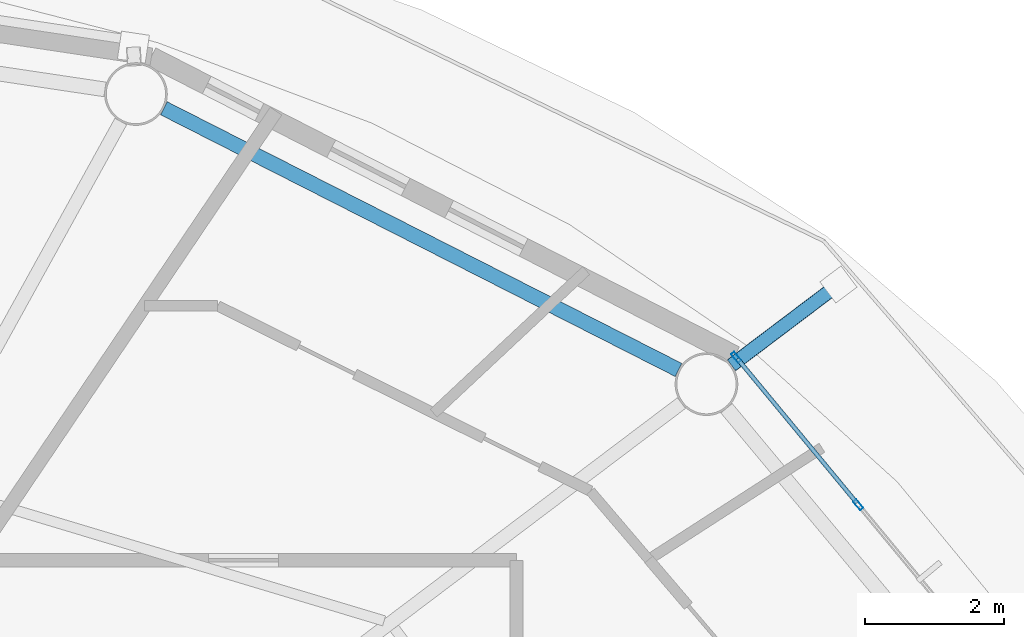
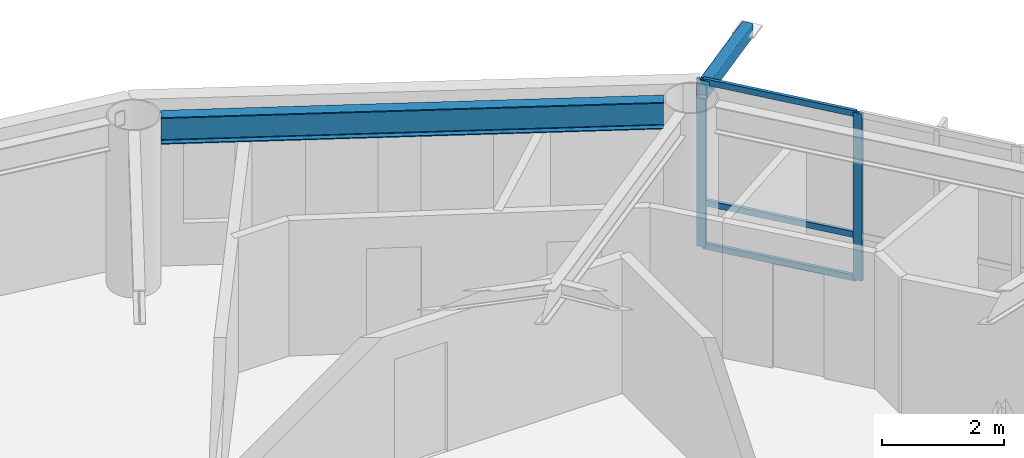
# One storey, part 11 of 23: 6 members, 1 beam, 1 element without a shape of its own.
"""IFC4 building model written with IfcOpenShell, lengths in metres."""

import ifcopenshell
import ifcopenshell.guid

model = None  # the IFC model being written
_history = None  # IfcOwnerHistory: only IFC2X3 demands one
_inside = {}  # id of a spatial element -> (the spatial element, [elements in it])
_under = {}  # id of a project, library or spatial element -> (it, [spatial elements below it])
_declared = {}  # id of a project -> (the project, [libraries it declares])
_typed = {}  # id of a type object -> (the type object, [elements of that type])
_made_of = {}  # id of a material, layer set ... -> (it, [elements and type objects made of it])


def new_model(schema):
    """Start an empty IFC model of exactly this schema.

    Asked for "IFC4X3", IfcOpenShell would pick the latest addendum, in which some entities
    have other attributes; the version numbers below select the first issue.
    IFC2X3 requires an IfcOwnerHistory on every rooted entity: one is made here for all.
    """
    global model, _history
    if schema == "IFC4X3":
        model = ifcopenshell.file(schema_version=(4, 3, 0, 0))
    else:
        model = ifcopenshell.file(schema=schema)
    _inside.clear()
    _under.clear()
    _declared.clear()
    _typed.clear()
    _made_of.clear()
    _history = None
    if model.schema == "IFC2X3":
        org = make("IfcOrganization", Name="unknown")
        user = make(
            "IfcPersonAndOrganization",
            ThePerson=make("IfcPerson", FamilyName="unknown"),
            TheOrganization=org,
        )
        app = make(
            "IfcApplication",
            ApplicationDeveloper=org,
            Version="unknown",
            ApplicationFullName="unknown",
            ApplicationIdentifier="unknown",
        )
        _history = make(
            "IfcOwnerHistory",
            OwningUser=user,
            OwningApplication=app,
            ChangeAction="ADDED",
            CreationDate=0,
        )
    return model


def make(cls, **values):
    """One entity of the class cls with the attributes given. An attribute that is None is left unset."""
    return model.create_entity(
        cls, **{name: value for name, value in values.items() if value is not None}
    )


def rooted(cls, **values):
    """An entity with a GlobalId (a new one), such as an element, a storey or a relation."""
    return make(cls, GlobalId=ifcopenshell.guid.new(), OwnerHistory=_history, **values)


def si_unit(unit_type, name, prefix=None):
    """IfcSIUnit, for example si_unit("LENGTHUNIT", "METRE", prefix="MILLI")."""
    return make("IfcSIUnit", UnitType=unit_type, Prefix=prefix, Name=name)


def assignment(units):
    """IfcUnitAssignment: the units of a project."""
    return None if units is None else make("IfcUnitAssignment", Units=units)


def point(xyz):
    """IfcCartesianPoint."""
    return None if xyz is None else make("IfcCartesianPoint", Coordinates=xyz)


def direction(xyz):
    """IfcDirection."""
    return None if xyz is None else make("IfcDirection", DirectionRatios=xyz)


def frame(location, z_axis=None, x_axis=None):
    """IfcAxis2Placement3D, a coordinate frame: its origin and axes. An axis left out is left unset."""
    return make(
        "IfcAxis2Placement3D",
        Location=point(location),
        Axis=direction(z_axis),
        RefDirection=direction(x_axis),
    )


def frame_2d(location, x_axis=None):
    """IfcAxis2Placement2D, a coordinate frame in the plane: its origin and x axis."""
    return make(
        "IfcAxis2Placement2D", Location=point(location), RefDirection=direction(x_axis)
    )


def origin():
    """The frame at (0, 0, 0) with its axes left unset."""
    return frame((0.0, 0.0, 0.0))


def origin_2d():
    """The frame at (0, 0) in the plane with its x axis left unset."""
    return frame_2d((0.0, 0.0))


def place(relative_to, where):
    """IfcLocalPlacement: puts the frame where relative to a parent placement (None: the world)."""
    return make(
        "IfcLocalPlacement", PlacementRelTo=relative_to, RelativePlacement=where
    )


def context(
    kind, dimensions, precision=None, world=None, true_north=None, identifier=None
):
    """IfcGeometricRepresentationContext, for example the 3D "Model" context."""
    return make(
        "IfcGeometricRepresentationContext",
        ContextIdentifier=identifier,
        ContextType=kind,
        CoordinateSpaceDimension=dimensions,
        Precision=precision,
        WorldCoordinateSystem=world,
        TrueNorth=true_north,
    )


def subcontext(parent, identifier, kind, view, scale=None):
    """IfcGeometricRepresentationSubContext, for example "Body" below "Model"."""
    return make(
        "IfcGeometricRepresentationSubContext",
        ContextIdentifier=identifier,
        ContextType=kind,
        ParentContext=parent,
        TargetScale=scale,
        TargetView=view,
    )


def project(units=None, contexts=None):
    """IfcProject with its units and contexts."""
    return rooted(
        "IfcProject",
        Name="project",
        RepresentationContexts=contexts,
        UnitsInContext=assignment(units),
    )


def spatial(cls, under=None, at=None, **own):
    """A site, building, storey or space (cls), placed at a placement, below another one or the project."""
    s = rooted(cls, ObjectPlacement=at, **own)
    if under is not None:
        _under.setdefault(under.id(), (under, []))[1].append(s)
    return s


def profile(cls, at=None, kind="AREA", **sizes):
    """A parametric profile (cls). Its sizes go by their IFC names, for example OverallWidth=200.0."""
    return make(cls, ProfileType=kind, Position=at, **sizes)


def hollow_rectangle(**sizes):
    """IfcRectangleHollowProfileDef."""
    return profile("IfcRectangleHollowProfileDef", **sizes)


def i_section(**sizes):
    """IfcIShapeProfileDef."""
    return profile("IfcIShapeProfileDef", **sizes)


def extrude(swept, where, along, depth):
    """IfcExtrudedAreaSolid: the profile swept, set in the frame where, extruded along a direction by depth."""
    return make(
        "IfcExtrudedAreaSolid",
        SweptArea=swept,
        Position=where,
        ExtrudedDirection=direction(along),
        Depth=depth,
    )


def shape(context_of_items, identifier, shape_type, items):
    """IfcShapeRepresentation: the items that make up one representation, for example the "Body"."""
    return make(
        "IfcShapeRepresentation",
        ContextOfItems=context_of_items,
        RepresentationIdentifier=identifier,
        RepresentationType=shape_type,
        Items=items,
    )


def material(Name=None, Category=None):
    """IfcMaterial."""
    return make("IfcMaterial", Name=Name, Category=Category)


def layer(
    of_material, thickness, ventilated=None, Name=None, Category=None, Priority=None
):
    """IfcMaterialLayer: one layer of a wall or slab, of a material (None: an air gap)."""
    return make(
        "IfcMaterialLayer",
        Material=of_material,
        LayerThickness=thickness,
        IsVentilated=ventilated,
        Name=Name,
        Category=Category,
        Priority=Priority,
    )


def layer_set(layers, Name=None):
    """IfcMaterialLayerSet."""
    return make("IfcMaterialLayerSet", MaterialLayers=layers, LayerSetName=Name)


def material_profile(
    of_material, cross_section, Name=None, Category=None, Priority=None
):
    """IfcMaterialProfile: a cross section and its material."""
    return make(
        "IfcMaterialProfile",
        Name=Name,
        Material=of_material,
        Profile=cross_section,
        Priority=Priority,
        Category=Category,
    )


def profile_set(profiles, Name=None, composite=None):
    """IfcMaterialProfileSet."""
    return make(
        "IfcMaterialProfileSet",
        Name=Name,
        MaterialProfiles=profiles,
        CompositeProfile=composite,
    )


def made_of(thing, what):
    """Note that an element or type object is made of a material, layer set ...; save() writes the relation."""
    if what is not None:
        _made_of.setdefault(what.id(), (what, []))[1].append(thing)
    return thing


def type_object(cls, material=None, **own):
    """A type object (cls), such as IfcWallType, which elements share."""
    return made_of(rooted(cls, **own), material)


def element(
    cls,
    number,
    at=None,
    inside=None,
    cuts=None,
    type_object=None,
    material=None,
    context=None,
    identifier="Body",
    shape_type=None,
    held_by="IfcProductDefinitionShape",
    body=None,
    shapes=None,
    **own,
):
    """One element of the class cls, such as IfcWall. Its Tag is "e" and its number.

    at: its placement. inside: the storey or other place that contains it. cuts: it is an
    opening in that element (IfcRelVoidsElement). A single representation is given by context,
    identifier, shape_type and body (its items); several are given by shapes. held_by: the class
    of the entity that holds the representations. save() writes the other relations.
    """
    e = rooted(cls, Tag="e%d" % number, ObjectPlacement=at, **own)
    if body is not None:
        shapes = [shape(context, identifier, shape_type, body)]
    if shapes is not None:
        e.Representation = make(held_by, Representations=shapes)
    if inside is not None:
        _inside.setdefault(inside.id(), (inside, []))[1].append(e)
    if cuts is not None:
        rooted(
            "IfcRelVoidsElement", RelatingBuildingElement=cuts, RelatedOpeningElement=e
        )
    if type_object is not None:
        _typed.setdefault(type_object.id(), (type_object, []))[1].append(e)
    return made_of(e, material)


def aggregate(whole, parts):
    """IfcRelAggregates: a whole, such as a stair, and the parts it consists of."""
    return rooted("IfcRelAggregates", RelatingObject=whole, RelatedObjects=parts)


def save(model, path):
    """Write the relations noted so far, then the file.

    IfcRelAggregates (storeys below a building ...), IfcRelContainedInSpatialStructure (elements
    in a storey), IfcRelDefinesByType, IfcRelAssociatesMaterial and IfcRelDeclares: one each for
    every whole, place, type object, material and project.
    """
    for whole, parts in _under.values():
        aggregate(whole, parts)
    for where, things in _inside.values():
        rooted(
            "IfcRelContainedInSpatialStructure",
            RelatedElements=things,
            RelatingStructure=where,
        )
    for kind, things in _typed.values():
        rooted("IfcRelDefinesByType", RelatedObjects=things, RelatingType=kind)
    for what, things in _made_of.values():
        rooted("IfcRelAssociatesMaterial", RelatedObjects=things, RelatingMaterial=what)
    for by, libraries in _declared.values():
        rooted("IfcRelDeclares", RelatingContext=by, RelatedDefinitions=libraries)
    model.write(path)


model = new_model("IFC4")

# Units and contexts
model_context = context("Model", 3, precision=1e-05, world=origin(), true_north=direction((0.0, 1.0)))
body_context = subcontext(model_context, "Body", "Model", "MODEL_VIEW")
ifc_project = project(units=[si_unit("LENGTHUNIT", "METRE"), si_unit("AREAUNIT", "SQUARE_METRE"), si_unit("VOLUMEUNIT", "CUBIC_METRE"), si_unit("PLANEANGLEUNIT", "RADIAN"), si_unit("MASSUNIT", "GRAM", prefix="KILO")], contexts=[model_context])

# Site, building, storey
site_placement = place(None, origin())
site = spatial("IfcSite", under=ifc_project, at=site_placement, CompositionType="ELEMENT")
building_placement = place(site_placement, origin())
building = spatial("IfcBuilding", under=site, at=building_placement, Name="Sarneth Arch Tower", CompositionType="ELEMENT")
storey_placement = place(building_placement, frame((0.0, 0.0, 231.60009765625)))
storey = spatial("IfcBuildingStorey", under=building, at=storey_placement, Name="L59", CompositionType="ELEMENT", Elevation=231.60009765625)

# Beam
ifc_material_1 = material(Name="Steel S355", Category="steel")
ifc_material_profile_1 = material_profile(ifc_material_1, i_section(OverallWidth=0.2109375, OverallDepth=0.5390625, WebThickness=0.01171875, FlangeThickness=0.018798828125, FilletRadius=0.01806640625, at=origin_2d()), Name="W530x109")
ifc_profile_set_1 = profile_set([ifc_material_profile_1], Name="Steel S355")
beam_type = type_object("IfcBeamType", Name="BM-RAD-530B", PredefinedType="BEAM", material=ifc_profile_set_1)
beam_placement = place(storey_placement, frame((65.57421875, 55.780517578125, 3.09033203125), z_axis=(-0.891376248079, 0.453264144138, 0.0), x_axis=(-0.453264144138, -0.891376248079, 0.0)))
element("IfcBeam", 1, at=beam_placement, inside=storey, type_object=beam_type, Name="L59 Perimeter spandrel beam 03", PredefinedType="BEAM", context=body_context, shape_type="SweptSolid", body=[
    extrude(i_section(OverallWidth=0.2109375, OverallDepth=0.5390625, WebThickness=0.01171875, FlangeThickness=0.018798828125, FilletRadius=0.01806640625, at=origin_2d()), origin(), (0.0, 0.0, 1.0), 8.281982421875),
])

# Curtain wall, members
ifc_material_2 = material(Name="Anodised aluminium Type AA25 and solar-control low-e laminated IGU", Category="aluminium")
ifc_layer = layer(ifc_material_2, 0.179931640625)
ifc_layer_set = layer_set([ifc_layer], Name="Anodised aluminium Type AA25 and solar-control low-e laminated IGU")
curtain_wall_type = type_object("IfcCurtainWallType", Name="CW-RES-HIGH", PredefinedType="NOTDEFINED", material=ifc_layer_set)
curtain_wall_placement = place(storey_placement, origin())
curtain_wall = element("IfcCurtainWall", 2, at=curtain_wall_placement, inside=storey, type_object=curtain_wall_type, Name="L59 Unitised curtain wall facet 02", PredefinedType="NOTDEFINED")
ifc_material_3 = material(Name="Anodised Aluminium 6063-T6", Category="aluminium")
ifc_material_profile_2 = material_profile(ifc_material_3, hollow_rectangle(XDim=0.06005859375, YDim=0.159912109375, WallThickness=0.00390625, at=origin_2d()), Name="AL-MULL-160x60x4")
ifc_profile_set_2 = profile_set([ifc_material_profile_2], Name="Anodised Aluminium 6063-T6")
member_type_1 = type_object("IfcMemberType", Name="CW-MULLION", PredefinedType="MULLION", material=ifc_profile_set_2)
member_1_placement = place(storey_placement, frame((68.15283203125, 53.84765625, 0.0), z_axis=(0.0, 0.0, 1.0), x_axis=(-0.770359245933, -0.637610094184, 0.0)))
member_1 = element("IfcMember", 3, at=member_1_placement, type_object=member_type_1, Name="CW-SYS-6 mullion 3", PredefinedType="MULLION", context=body_context, shape_type="SweptSolid", body=[
    extrude(hollow_rectangle(XDim=0.06005859375, YDim=0.159912109375, WallThickness=0.00390625, at=origin_2d()), origin(), (0.0, 0.0, 1.0), 3.35986328125),
])
member_2_placement = place(storey_placement, frame((66.401611328125, 55.96337890625, 0.0), z_axis=(0.0, 0.0, 1.0), x_axis=(-0.770359245933, -0.637610094184, 0.0)))
member_2 = element("IfcMember", 4, at=member_2_placement, type_object=member_type_1, Name="CW-SYS-6 mullion 4", PredefinedType="MULLION", context=body_context, shape_type="SweptSolid", body=[
    extrude(hollow_rectangle(XDim=0.06005859375, YDim=0.159912109375, WallThickness=0.00390625, at=origin_2d()), origin(), (0.0, 0.0, 1.0), 3.35986328125),
])
ifc_material_4 = material(Name="Anodised Aluminium 6063-T6", Category="aluminium")
ifc_material_profile_3 = material_profile(ifc_material_4, hollow_rectangle(XDim=0.06005859375, YDim=0.1201171875, WallThickness=0.00390625, at=origin_2d()), Name="AL-TRAN-120x60x4")
ifc_profile_set_3 = profile_set([ifc_material_profile_3], Name="Anodised Aluminium 6063-T6")
member_type_2 = type_object("IfcMemberType", Name="CW-TRANSOM", PredefinedType="USERDEFINED", material=ifc_profile_set_3)
member_3_placement = place(storey_placement, frame((68.1337890625, 53.87060546875, 0.02978515625), z_axis=(-0.637606765719, 0.770362000821, 0.0), x_axis=(-0.770362000821, -0.637606765719, 0.0)))
member_3 = element("IfcMember", 5, at=member_3_placement, type_object=member_type_2, Name="CW-SYS-6 transom 3.1", ObjectType="TRANSOM", PredefinedType="USERDEFINED", context=body_context, shape_type="SweptSolid", body=[
    extrude(hollow_rectangle(XDim=0.06005859375, YDim=0.1201171875, WallThickness=0.00390625, at=origin_2d()), origin(), (0.0, 0.0, 1.0), 2.686767578125),
])
member_4_placement = place(storey_placement, frame((68.1337890625, 53.87060546875, 0.89990234375), z_axis=(-0.637606765719, 0.770362000821, 0.0), x_axis=(-0.770362000821, -0.637606765719, 0.0)))
member_4 = element("IfcMember", 6, at=member_4_placement, type_object=member_type_2, Name="CW-SYS-6 transom 3.2", ObjectType="TRANSOM", PredefinedType="USERDEFINED", context=body_context, shape_type="SweptSolid", body=[
    extrude(hollow_rectangle(XDim=0.06005859375, YDim=0.1201171875, WallThickness=0.00390625, at=origin_2d()), origin(), (0.0, 0.0, 1.0), 2.686767578125),
])
member_5_placement = place(storey_placement, frame((68.1337890625, 53.87060546875, 3.329833984375), z_axis=(-0.637606765719, 0.770362000821, 0.0), x_axis=(-0.770362000821, -0.637606765719, 0.0)))
member_5 = element("IfcMember", 7, at=member_5_placement, type_object=member_type_2, Name="CW-SYS-6 transom 3.3", ObjectType="TRANSOM", PredefinedType="USERDEFINED", context=body_context, shape_type="SweptSolid", body=[
    extrude(hollow_rectangle(XDim=0.06005859375, YDim=0.1201171875, WallThickness=0.00390625, at=origin_2d()), origin(), (0.0, 0.0, 1.0), 2.686767578125),
])
aggregate(curtain_wall, [member_1, member_2, member_3, member_4, member_5])

# Member
ifc_material_5 = material(Name="Steel S355", Category="steel")
ifc_material_profile_4 = material_profile(ifc_material_5, hollow_rectangle(XDim=0.199951171875, YDim=0.300048828125, WallThickness=0.012451171875, InnerFilletRadius=0.018798828125, OuterFilletRadius=0.03125, at=origin_2d()), Name="RHS300x200x12.5")
ifc_profile_set_4 = profile_set([ifc_material_profile_4], Name="Steel S355")
member_type_3 = type_object("IfcMemberType", Name="MEM-CANT-STRUT", PredefinedType="STRUT", material=ifc_profile_set_4)
member_6_placement = place(storey_placement, frame((66.334228515625, 55.84765625, 3.199951171875), z_axis=(0.797969091344, 0.602698373367, 0.0), x_axis=(-0.602698373367, 0.797969091344, 0.0)))
element("IfcMember", 8, at=member_6_placement, inside=storey, type_object=member_type_3, Name="L59 Balcony cantilever bracket 03", PredefinedType="STRUT", context=body_context, shape_type="SweptSolid", body=[
    extrude(hollow_rectangle(XDim=0.199951171875, YDim=0.300048828125, WallThickness=0.012451171875, InnerFilletRadius=0.018798828125, OuterFilletRadius=0.03125, at=origin_2d()), origin(), (0.0, 0.0, 1.0), 1.9228515625),
])

save(model, "model.ifc")
